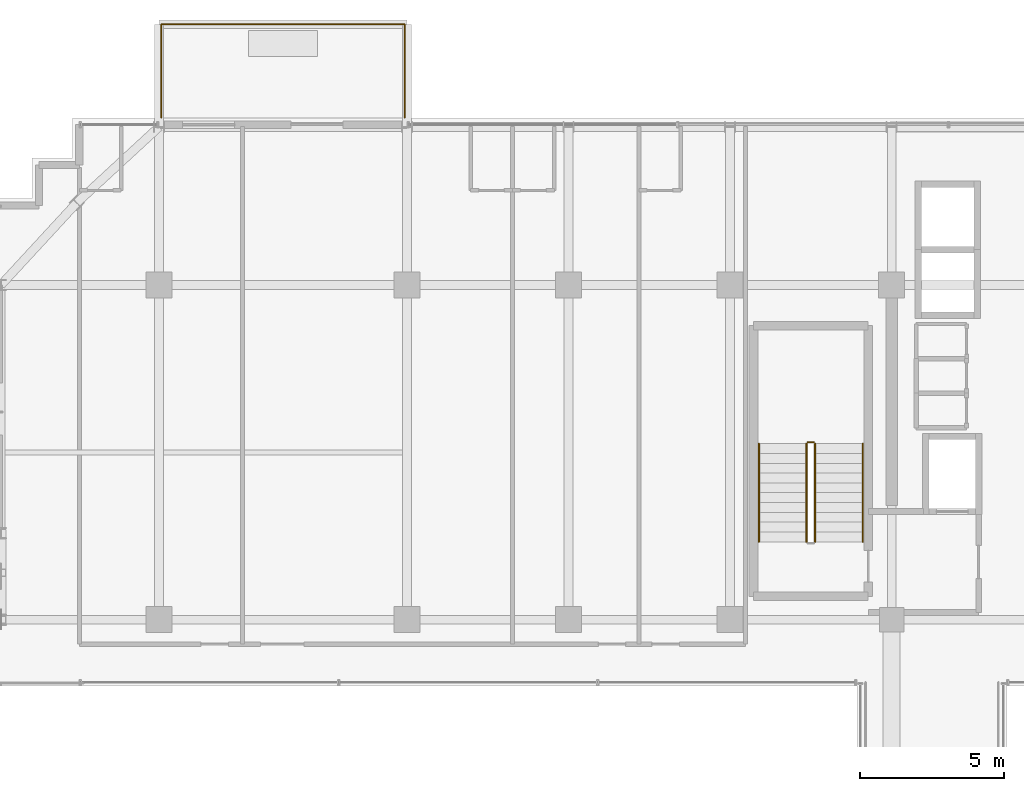
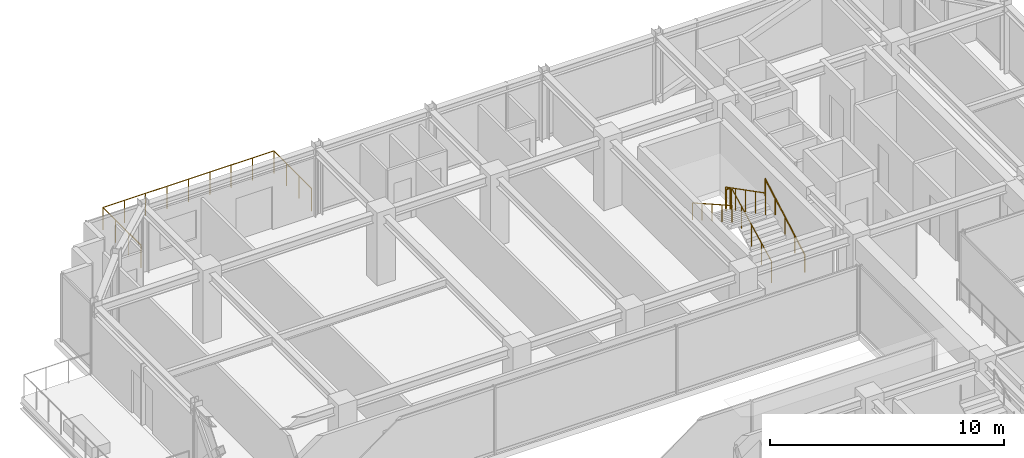
# One storey, part 40 of 41: 6 railings.
"""IFC4 building model written with IfcOpenShell, lengths in metres."""

from ifc_helpers import new_model, si_unit, direction, frame, origin, origin_2d, place, context, subcontext, project, spatial, circle, extrude, material, type_object, element, save


model = new_model("IFC4")

# Units and contexts
model_context = context("Model", 3, precision=1e-05, world=origin(), true_north=direction((0.0, 1.0)))
body_context = subcontext(model_context, "Body", "Model", "MODEL_VIEW")
ifc_project = project(units=[si_unit("LENGTHUNIT", "METRE"), si_unit("AREAUNIT", "SQUARE_METRE"), si_unit("VOLUMEUNIT", "CUBIC_METRE"), si_unit("PLANEANGLEUNIT", "RADIAN"), si_unit("MASSUNIT", "GRAM", prefix="KILO")], contexts=[model_context])

# Site, building, storey
site_placement = place(None, origin())
site = spatial("IfcSite", under=ifc_project, at=site_placement, CompositionType="ELEMENT")
building_placement = place(site_placement, origin())
building = spatial("IfcBuilding", under=site, at=building_placement, Name="Nahalor Promenade Grand Hotel", CompositionType="ELEMENT")
storey_placement = place(building_placement, frame((0.0, 0.0, 304.199951171875)))
storey = spatial("IfcBuildingStorey", under=building, at=storey_placement, Name="L78", CompositionType="ELEMENT", Elevation=304.199951171875)

# Railings
ifc_material_1 = material(Name="Anodised Bronze Aluminium EN AW-6063 T6", Category="aluminium")
railing_type_1 = type_object("IfcRailingType", Name="Bronze Balcony Guardrail 1200 mm", PredefinedType="GUARDRAIL", material=ifc_material_1)
railing_1_placement = place(storey_placement, frame((-16.919921875, 22.800048828125, 0.0)))
element("IfcRailing", 1, at=railing_1_placement, inside=storey, type_object=railing_type_1, Name="L78 Balcony Guardrail 1", PredefinedType="GUARDRAIL", context=body_context, shape_type="SweptSolid", body=[
    extrude(circle(Radius=0.024048, at=origin_2d()), frame((0.0, 0.0, 1.17578125), z_axis=(0.0, 1.0, 0.0), x_axis=(-1.0, 0.0, 0.0)), (0.0, 0.0, 1.0), 3.238037109375),
    extrude(circle(Radius=0.024048, at=origin_2d()), frame((0.001953125, 3.239990234375, 1.17578125), z_axis=(1.0, 0.0, 0.0), x_axis=(0.0, 1.0, 0.0)), (0.0, 0.0, 1.0), 8.43603515625),
    extrude(circle(Radius=0.024048, at=origin_2d()), frame((8.43994140625, 3.238037109375, 1.17578125), z_axis=(0.0, -1.0, 0.0), x_axis=(1.0, 0.0, 0.0)), (0.0, 0.0, 1.0), 3.238037109375),
    extrude(circle(Radius=0.020996, at=origin_2d()), origin(), (0.0, 0.0, 1.0), 1.14990234375),
    extrude(circle(Radius=0.020996, at=origin_2d()), frame((0.0, 1.080078125, 0.0)), (0.0, 0.0, 1.0), 1.14990234375),
    extrude(circle(Radius=0.020996, at=origin_2d()), frame((0.0, 2.159912109375, 0.0)), (0.0, 0.0, 1.0), 1.14990234375),
    extrude(circle(Radius=0.020996, at=origin_2d()), frame((0.0, 3.239990234375, 0.0)), (0.0, 0.0, 1.0), 1.14990234375),
    extrude(circle(Radius=0.020996, at=origin_2d()), frame((1.054931640625, 3.239990234375, 0.0)), (0.0, 0.0, 1.0), 1.14990234375),
    extrude(circle(Radius=0.020996, at=origin_2d()), frame((2.10986328125, 3.239990234375, 0.0)), (0.0, 0.0, 1.0), 1.14990234375),
    extrude(circle(Radius=0.020996, at=origin_2d()), frame((3.1650390625, 3.239990234375, 0.0)), (0.0, 0.0, 1.0), 1.14990234375),
    extrude(circle(Radius=0.020996, at=origin_2d()), frame((4.219970703125, 3.239990234375, 0.0)), (0.0, 0.0, 1.0), 1.14990234375),
    extrude(circle(Radius=0.020996, at=origin_2d()), frame((5.27490234375, 3.239990234375, 0.0)), (0.0, 0.0, 1.0), 1.14990234375),
    extrude(circle(Radius=0.020996, at=origin_2d()), frame((6.330078125, 3.239990234375, 0.0)), (0.0, 0.0, 1.0), 1.14990234375),
    extrude(circle(Radius=0.020996, at=origin_2d()), frame((7.385009765625, 3.239990234375, 0.0)), (0.0, 0.0, 1.0), 1.14990234375),
    extrude(circle(Radius=0.020996, at=origin_2d()), frame((8.43994140625, 3.239990234375, 0.0)), (0.0, 0.0, 1.0), 1.14990234375),
    extrude(circle(Radius=0.020996, at=origin_2d()), frame((8.43994140625, 2.159912109375, 0.0)), (0.0, 0.0, 1.0), 1.14990234375),
    extrude(circle(Radius=0.020996, at=origin_2d()), frame((8.43994140625, 1.080078125, 0.0)), (0.0, 0.0, 1.0), 1.14990234375),
    extrude(circle(Radius=0.020996, at=origin_2d()), frame((8.43994140625, 0.0, 0.0)), (0.0, 0.0, 1.0), 1.14990234375),
])
ifc_material_2 = material(Name="Steel S355JR", Category="steel")
railing_type_2 = type_object("IfcRailingType", Name="Steel Stair Guardrail 1150 mm", PredefinedType="GUARDRAIL", material=ifc_material_2)
railing_2_placement = place(storey_placement, frame((5.75, 8.10009765625, 0.175048828125)))
element("IfcRailing", 2, at=railing_2_placement, inside=storey, type_object=railing_type_2, Name="L78 ST1 stair guard 1", PredefinedType="GUARDRAIL", context=body_context, shape_type="SweptSolid", body=[
    extrude(circle(Radius=0.024048, at=origin_2d()), frame((0.0, 0.0, 1.1259765625), z_axis=(0.0, 0.889130461562, 0.457653823673), x_axis=(-1.0, 0.0, 0.0)), (0.0, 0.0, 1.0), 3.82373046875),
    extrude(circle(Radius=0.020996, at=origin_2d()), origin(), (0.0, 0.0, 1.0), 1.099853515625),
    extrude(circle(Radius=0.020996, at=origin_2d()), frame((0.0, 0.85009765625, 0.4375)), (0.0, 0.0, 1.0), 1.099853515625),
    extrude(circle(Radius=0.020996, at=origin_2d()), frame((0.0, 1.699951171875, 0.875)), (0.0, 0.0, 1.0), 1.099853515625),
    extrude(circle(Radius=0.020996, at=origin_2d()), frame((0.0, 2.5498046875, 1.3125)), (0.0, 0.0, 1.0), 1.099853515625),
    extrude(circle(Radius=0.020996, at=origin_2d()), frame((0.0, 3.39990234375, 1.75)), (0.0, 0.0, 1.0), 1.099853515625),
])
railing_3_placement = place(storey_placement, frame((5.699951171875, 11.550048828125, 1.925048828125)))
element("IfcRailing", 3, at=railing_3_placement, inside=storey, type_object=railing_type_2, Name="L78 ST1 stair guard 2", PredefinedType="GUARDRAIL", context=body_context, shape_type="SweptSolid", body=[
    extrude(circle(Radius=0.024048, at=origin_2d()), frame((0.0, 0.0, 1.1259765625), z_axis=(-1.0, 0.0, 0.0), x_axis=(0.0, -1.0, 0.0)), (0.0, 0.0, 1.0), 0.199951171875),
    extrude(circle(Radius=0.020996, at=origin_2d()), origin(), (0.0, 0.0, 1.0), 1.099853515625),
    extrude(circle(Radius=0.020996, at=origin_2d()), frame((-0.199951171875, 0.0, 0.0)), (0.0, 0.0, 1.0), 1.099853515625),
])
railing_4_placement = place(storey_placement, frame((5.449951171875, 11.5, 2.10009765625)))
element("IfcRailing", 4, at=railing_4_placement, inside=storey, type_object=railing_type_2, Name="L78 ST1 stair guard 3", PredefinedType="GUARDRAIL", context=body_context, shape_type="SweptSolid", body=[
    extrude(circle(Radius=0.024048, at=origin_2d()), frame((0.0, 0.0, 1.1259765625), z_axis=(0.0, -0.889130461562, 0.457653823673), x_axis=(1.0, 0.0, 0.0)), (0.0, 0.0, 1.0), 3.82373046875),
    extrude(circle(Radius=0.020996, at=origin_2d()), origin(), (0.0, 0.0, 1.0), 1.099853515625),
    extrude(circle(Radius=0.020996, at=origin_2d()), frame((0.0, -0.85009765625, 0.4375)), (0.0, 0.0, 1.0), 1.099853515625),
    extrude(circle(Radius=0.020996, at=origin_2d()), frame((0.0, -1.699951171875, 0.875)), (0.0, 0.0, 1.0), 1.099853515625),
    extrude(circle(Radius=0.020996, at=origin_2d()), frame((0.0, -2.5498046875, 1.3125)), (0.0, 0.0, 1.0), 1.099853515625),
    extrude(circle(Radius=0.020996, at=origin_2d()), frame((0.0, -3.39990234375, 1.75)), (0.0, 0.0, 1.0), 1.099853515625),
])
railing_type_3 = type_object("IfcRailingType", Name="Steel Stair Handrail 900 mm", PredefinedType="HANDRAIL", material=ifc_material_2)
railing_5_placement = place(storey_placement, frame((7.39990234375, 8.10009765625, 0.175048828125)))
element("IfcRailing", 5, at=railing_5_placement, inside=storey, type_object=railing_type_3, Name="L78 ST1 stair handrail 1", PredefinedType="HANDRAIL", context=body_context, shape_type="SweptSolid", body=[
    extrude(circle(Radius=0.024048, at=origin_2d()), frame((0.0, 0.0, 0.8759765625), z_axis=(0.0, 0.870193670192, 0.492709829776), x_axis=(-1.0, 0.0, 0.0)), (0.0, 0.0, 1.0), 3.906982421875),
    extrude(circle(Radius=0.020996, at=origin_2d()), origin(), (0.0, 0.0, 1.0), 0.849853515625),
    extrude(circle(Radius=0.020996, at=origin_2d()), frame((0.0, 0.85009765625, 0.481201171875)), (0.0, 0.0, 1.0), 0.849853515625),
    extrude(circle(Radius=0.020996, at=origin_2d()), frame((0.0, 1.699951171875, 0.96240234375)), (0.0, 0.0, 1.0), 0.849853515625),
    extrude(circle(Radius=0.020996, at=origin_2d()), frame((0.0, 2.5498046875, 1.44384765625)), (0.0, 0.0, 1.0), 0.849853515625),
    extrude(circle(Radius=0.020996, at=origin_2d()), frame((0.0, 3.39990234375, 1.925048828125)), (0.0, 0.0, 1.0), 0.849853515625),
])
railing_6_placement = place(storey_placement, frame((3.800048828125, 11.5, 2.10009765625)))
element("IfcRailing", 6, at=railing_6_placement, inside=storey, type_object=railing_type_3, Name="L78 ST1 stair handrail 2", PredefinedType="HANDRAIL", context=body_context, shape_type="SweptSolid", body=[
    extrude(circle(Radius=0.024048, at=origin_2d()), frame((0.0, 0.0, 0.8759765625), z_axis=(0.0, -0.870193670192, 0.492709829776), x_axis=(1.0, 0.0, 0.0)), (0.0, 0.0, 1.0), 3.906982421875),
    extrude(circle(Radius=0.020996, at=origin_2d()), origin(), (0.0, 0.0, 1.0), 0.849853515625),
    extrude(circle(Radius=0.020996, at=origin_2d()), frame((0.0, -0.85009765625, 0.481201171875)), (0.0, 0.0, 1.0), 0.849853515625),
    extrude(circle(Radius=0.020996, at=origin_2d()), frame((0.0, -1.699951171875, 0.96240234375)), (0.0, 0.0, 1.0), 0.849853515625),
    extrude(circle(Radius=0.020996, at=origin_2d()), frame((0.0, -2.5498046875, 1.44384765625)), (0.0, 0.0, 1.0), 0.849853515625),
    extrude(circle(Radius=0.020996, at=origin_2d()), frame((0.0, -3.39990234375, 1.925048828125)), (0.0, 0.0, 1.0), 0.849853515625),
])

save(model, "model.ifc")
